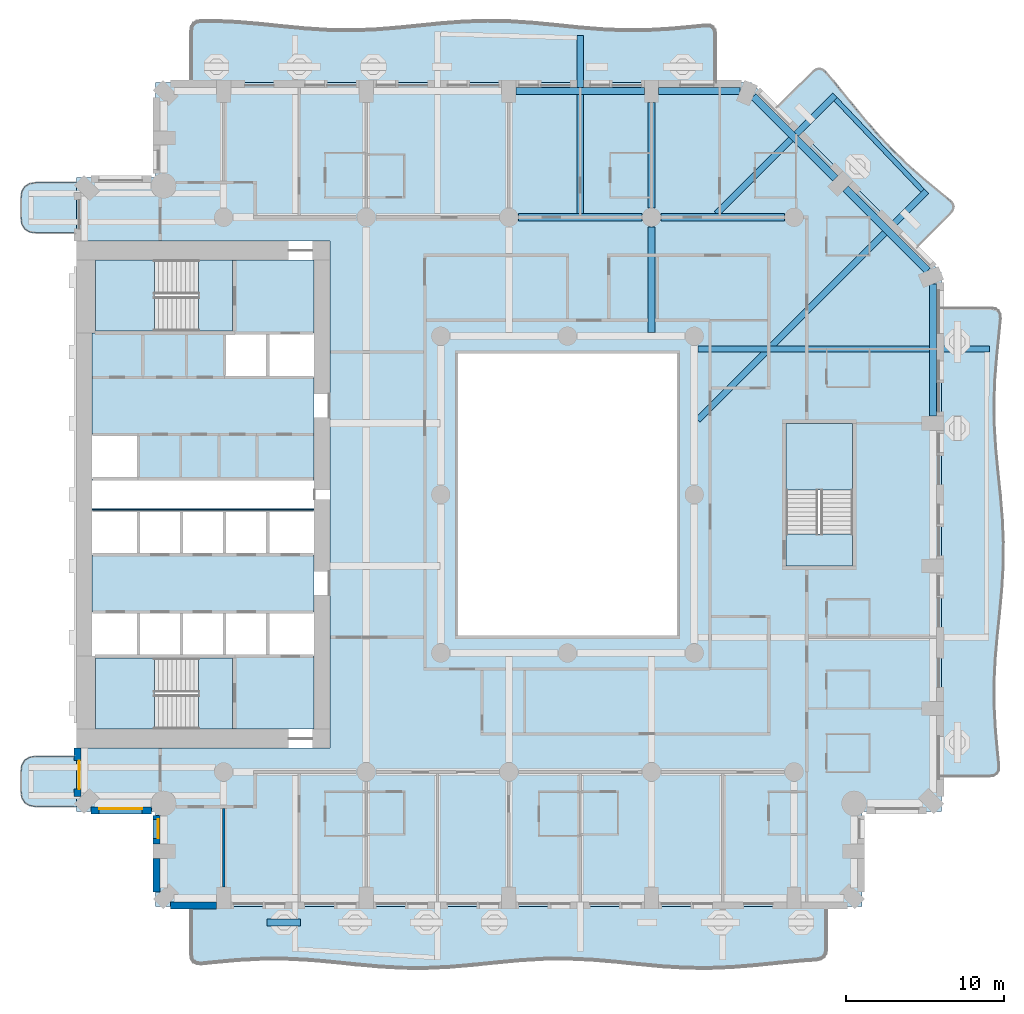
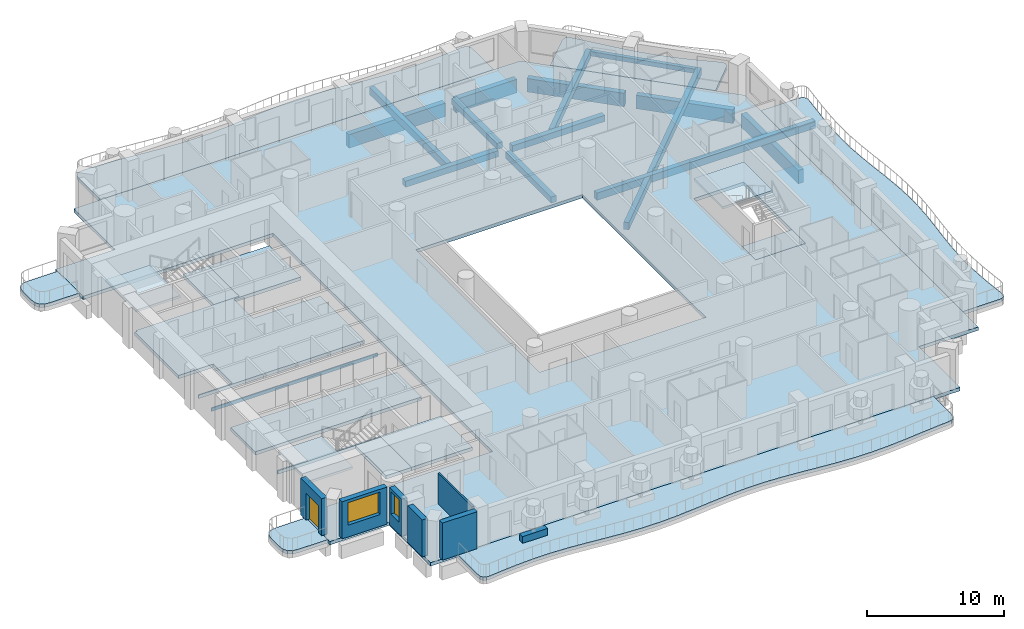
# One storey, part 2 of 20: 17 slabs, 14 beams, 7 walls, 2 windows, 1 door, 3 openings, 3 elements without a shape of their own.
"""IFC4 building model written with IfcOpenShell, lengths in metres."""

import ifcopenshell
import ifcopenshell.guid

model = None  # the IFC model being written
_history = None  # IfcOwnerHistory: only IFC2X3 demands one
_inside = {}  # id of a spatial element -> (the spatial element, [elements in it])
_under = {}  # id of a project, library or spatial element -> (it, [spatial elements below it])
_declared = {}  # id of a project -> (the project, [libraries it declares])
_typed = {}  # id of a type object -> (the type object, [elements of that type])
_made_of = {}  # id of a material, layer set ... -> (it, [elements and type objects made of it])


def new_model(schema):
    """Start an empty IFC model of exactly this schema.

    Asked for "IFC4X3", IfcOpenShell would pick the latest addendum, in which some entities
    have other attributes; the version numbers below select the first issue.
    IFC2X3 requires an IfcOwnerHistory on every rooted entity: one is made here for all.
    """
    global model, _history
    if schema == "IFC4X3":
        model = ifcopenshell.file(schema_version=(4, 3, 0, 0))
    else:
        model = ifcopenshell.file(schema=schema)
    _inside.clear()
    _under.clear()
    _declared.clear()
    _typed.clear()
    _made_of.clear()
    _history = None
    if model.schema == "IFC2X3":
        org = make("IfcOrganization", Name="unknown")
        user = make(
            "IfcPersonAndOrganization",
            ThePerson=make("IfcPerson", FamilyName="unknown"),
            TheOrganization=org,
        )
        app = make(
            "IfcApplication",
            ApplicationDeveloper=org,
            Version="unknown",
            ApplicationFullName="unknown",
            ApplicationIdentifier="unknown",
        )
        _history = make(
            "IfcOwnerHistory",
            OwningUser=user,
            OwningApplication=app,
            ChangeAction="ADDED",
            CreationDate=0,
        )
    return model


def make(cls, **values):
    """One entity of the class cls with the attributes given. An attribute that is None is left unset."""
    return model.create_entity(
        cls, **{name: value for name, value in values.items() if value is not None}
    )


def rooted(cls, **values):
    """An entity with a GlobalId (a new one), such as an element, a storey or a relation."""
    return make(cls, GlobalId=ifcopenshell.guid.new(), OwnerHistory=_history, **values)


def si_unit(unit_type, name, prefix=None):
    """IfcSIUnit, for example si_unit("LENGTHUNIT", "METRE", prefix="MILLI")."""
    return make("IfcSIUnit", UnitType=unit_type, Prefix=prefix, Name=name)


def assignment(units):
    """IfcUnitAssignment: the units of a project."""
    return None if units is None else make("IfcUnitAssignment", Units=units)


def point(xyz):
    """IfcCartesianPoint."""
    return None if xyz is None else make("IfcCartesianPoint", Coordinates=xyz)


def direction(xyz):
    """IfcDirection."""
    return None if xyz is None else make("IfcDirection", DirectionRatios=xyz)


def frame(location, z_axis=None, x_axis=None):
    """IfcAxis2Placement3D, a coordinate frame: its origin and axes. An axis left out is left unset."""
    return make(
        "IfcAxis2Placement3D",
        Location=point(location),
        Axis=direction(z_axis),
        RefDirection=direction(x_axis),
    )


def frame_2d(location, x_axis=None):
    """IfcAxis2Placement2D, a coordinate frame in the plane: its origin and x axis."""
    return make(
        "IfcAxis2Placement2D", Location=point(location), RefDirection=direction(x_axis)
    )


def origin():
    """The frame at (0, 0, 0) with its axes left unset."""
    return frame((0.0, 0.0, 0.0))


def origin_2d():
    """The frame at (0, 0) in the plane with its x axis left unset."""
    return frame_2d((0.0, 0.0))


def place(relative_to, where):
    """IfcLocalPlacement: puts the frame where relative to a parent placement (None: the world)."""
    return make(
        "IfcLocalPlacement", PlacementRelTo=relative_to, RelativePlacement=where
    )


def context(
    kind, dimensions, precision=None, world=None, true_north=None, identifier=None
):
    """IfcGeometricRepresentationContext, for example the 3D "Model" context."""
    return make(
        "IfcGeometricRepresentationContext",
        ContextIdentifier=identifier,
        ContextType=kind,
        CoordinateSpaceDimension=dimensions,
        Precision=precision,
        WorldCoordinateSystem=world,
        TrueNorth=true_north,
    )


def subcontext(parent, identifier, kind, view, scale=None):
    """IfcGeometricRepresentationSubContext, for example "Body" below "Model"."""
    return make(
        "IfcGeometricRepresentationSubContext",
        ContextIdentifier=identifier,
        ContextType=kind,
        ParentContext=parent,
        TargetScale=scale,
        TargetView=view,
    )


def project(units=None, contexts=None):
    """IfcProject with its units and contexts."""
    return rooted(
        "IfcProject",
        Name="project",
        RepresentationContexts=contexts,
        UnitsInContext=assignment(units),
    )


def spatial(cls, under=None, at=None, **own):
    """A site, building, storey or space (cls), placed at a placement, below another one or the project."""
    s = rooted(cls, ObjectPlacement=at, **own)
    if under is not None:
        _under.setdefault(under.id(), (under, []))[1].append(s)
    return s


def polyline(points):
    """IfcPolyline through the points."""
    return make("IfcPolyline", Points=[point(p) for p in points])


def profile(cls, at=None, kind="AREA", **sizes):
    """A parametric profile (cls). Its sizes go by their IFC names, for example OverallWidth=200.0."""
    return make(cls, ProfileType=kind, Position=at, **sizes)


def rectangle(**sizes):
    """IfcRectangleProfileDef."""
    return profile("IfcRectangleProfileDef", **sizes)


def outline(outer, holes=None, kind="AREA"):
    """IfcArbitraryClosedProfileDef: a profile drawn as a closed curve; with holes, ...WithVoids."""
    if holes is None:
        return make("IfcArbitraryClosedProfileDef", ProfileType=kind, OuterCurve=outer)
    return make(
        "IfcArbitraryProfileDefWithVoids",
        ProfileType=kind,
        OuterCurve=outer,
        InnerCurves=holes,
    )


def extrude(swept, where, along, depth):
    """IfcExtrudedAreaSolid: the profile swept, set in the frame where, extruded along a direction by depth."""
    return make(
        "IfcExtrudedAreaSolid",
        SweptArea=swept,
        Position=where,
        ExtrudedDirection=direction(along),
        Depth=depth,
    )


def shape(context_of_items, identifier, shape_type, items):
    """IfcShapeRepresentation: the items that make up one representation, for example the "Body"."""
    return make(
        "IfcShapeRepresentation",
        ContextOfItems=context_of_items,
        RepresentationIdentifier=identifier,
        RepresentationType=shape_type,
        Items=items,
    )


def material(Name=None, Category=None):
    """IfcMaterial."""
    return make("IfcMaterial", Name=Name, Category=Category)


def layer(
    of_material, thickness, ventilated=None, Name=None, Category=None, Priority=None
):
    """IfcMaterialLayer: one layer of a wall or slab, of a material (None: an air gap)."""
    return make(
        "IfcMaterialLayer",
        Material=of_material,
        LayerThickness=thickness,
        IsVentilated=ventilated,
        Name=Name,
        Category=Category,
        Priority=Priority,
    )


def layer_set(layers, Name=None):
    """IfcMaterialLayerSet."""
    return make("IfcMaterialLayerSet", MaterialLayers=layers, LayerSetName=Name)


def material_profile(
    of_material, cross_section, Name=None, Category=None, Priority=None
):
    """IfcMaterialProfile: a cross section and its material."""
    return make(
        "IfcMaterialProfile",
        Name=Name,
        Material=of_material,
        Profile=cross_section,
        Priority=Priority,
        Category=Category,
    )


def profile_set(profiles, Name=None, composite=None):
    """IfcMaterialProfileSet."""
    return make(
        "IfcMaterialProfileSet",
        Name=Name,
        MaterialProfiles=profiles,
        CompositeProfile=composite,
    )


def made_of(thing, what):
    """Note that an element or type object is made of a material, layer set ...; save() writes the relation."""
    if what is not None:
        _made_of.setdefault(what.id(), (what, []))[1].append(thing)
    return thing


def type_object(cls, material=None, **own):
    """A type object (cls), such as IfcWallType, which elements share."""
    return made_of(rooted(cls, **own), material)


def element(
    cls,
    number,
    at=None,
    inside=None,
    cuts=None,
    type_object=None,
    material=None,
    context=None,
    identifier="Body",
    shape_type=None,
    held_by="IfcProductDefinitionShape",
    body=None,
    shapes=None,
    **own,
):
    """One element of the class cls, such as IfcWall. Its Tag is "e" and its number.

    at: its placement. inside: the storey or other place that contains it. cuts: it is an
    opening in that element (IfcRelVoidsElement). A single representation is given by context,
    identifier, shape_type and body (its items); several are given by shapes. held_by: the class
    of the entity that holds the representations. save() writes the other relations.
    """
    e = rooted(cls, Tag="e%d" % number, ObjectPlacement=at, **own)
    if body is not None:
        shapes = [shape(context, identifier, shape_type, body)]
    if shapes is not None:
        e.Representation = make(held_by, Representations=shapes)
    if inside is not None:
        _inside.setdefault(inside.id(), (inside, []))[1].append(e)
    if cuts is not None:
        rooted(
            "IfcRelVoidsElement", RelatingBuildingElement=cuts, RelatedOpeningElement=e
        )
    if type_object is not None:
        _typed.setdefault(type_object.id(), (type_object, []))[1].append(e)
    return made_of(e, material)


def fill(opening, filler):
    """IfcRelFillsElement: the door or window that sits in an opening."""
    return rooted(
        "IfcRelFillsElement",
        RelatingOpeningElement=opening,
        RelatedBuildingElement=filler,
    )


def aggregate(whole, parts):
    """IfcRelAggregates: a whole, such as a stair, and the parts it consists of."""
    return rooted("IfcRelAggregates", RelatingObject=whole, RelatedObjects=parts)


def save(model, path):
    """Write the relations noted so far, then the file.

    IfcRelAggregates (storeys below a building ...), IfcRelContainedInSpatialStructure (elements
    in a storey), IfcRelDefinesByType, IfcRelAssociatesMaterial and IfcRelDeclares: one each for
    every whole, place, type object, material and project.
    """
    for whole, parts in _under.values():
        aggregate(whole, parts)
    for where, things in _inside.values():
        rooted(
            "IfcRelContainedInSpatialStructure",
            RelatedElements=things,
            RelatingStructure=where,
        )
    for kind, things in _typed.values():
        rooted("IfcRelDefinesByType", RelatedObjects=things, RelatingType=kind)
    for what, things in _made_of.values():
        rooted("IfcRelAssociatesMaterial", RelatedObjects=things, RelatingMaterial=what)
    for by, libraries in _declared.values():
        rooted("IfcRelDeclares", RelatingContext=by, RelatedDefinitions=libraries)
    model.write(path)


model = new_model("IFC4")

# Units and contexts
model_context = context("Model", 3, precision=1e-05, world=origin(), true_north=direction((0.0, 1.0)))
body_context = subcontext(model_context, "Body", "Model", "MODEL_VIEW")
ifc_project = project(units=[si_unit("LENGTHUNIT", "METRE"), si_unit("AREAUNIT", "SQUARE_METRE"), si_unit("VOLUMEUNIT", "CUBIC_METRE"), si_unit("PLANEANGLEUNIT", "RADIAN"), si_unit("MASSUNIT", "GRAM", prefix="KILO")], contexts=[model_context])

# Site, building, storey
site_placement = place(None, origin())
site = spatial("IfcSite", under=ifc_project, at=site_placement, CompositionType="ELEMENT")
building_placement = place(site_placement, origin())
building = spatial("IfcBuilding", under=site, at=building_placement, Name="Cypress Arch Tower", CompositionType="ELEMENT")
storey_placement = place(building_placement, frame((0.0, 0.0, 80.699951171875)))
storey = spatial("IfcBuildingStorey", under=building, at=storey_placement, Name="L14", CompositionType="ELEMENT", Elevation=80.699951171875)

# Beams
ifc_material_1 = material(Name="Concrete C50/60", Category="concrete")
ifc_material_profile_1 = material_profile(ifc_material_1, rectangle(XDim=0.300048828125, YDim=0.39990234375, at=origin_2d()), Name="RC 300x400")
ifc_profile_set_1 = profile_set([ifc_material_profile_1], Name="Concrete C50/60")
beam_type_1 = type_object("IfcBeamType", Name="Balcony edge beam RC 300x400 Concrete C50/60", PredefinedType="BEAM", material=ifc_profile_set_1)
beam_1_placement = place(storey_placement, frame((23.41015625, 19.1806640625, -0.5), z_axis=(-0.689573257402, 0.724215936497, 0.0), x_axis=(-0.724215936497, -0.689573257402, 0.0)))
element("IfcBeam", 1, at=beam_1_placement, inside=storey, type_object=beam_type_1, Name="Balcony edge beam L14 A07", PredefinedType="BEAM", context=body_context, shape_type="SweptSolid", body=[
    extrude(rectangle(XDim=0.300048828125, YDim=0.39990234375, at=origin_2d()), origin(), (0.0, 0.0, 1.0), 7.963623046875),
])
ifc_material_2 = material(Name="Concrete C50/60", Category="concrete")
ifc_material_profile_2 = material_profile(ifc_material_2, rectangle(XDim=0.39990234375, YDim=0.64990234375, at=origin_2d()), Name="RC 400x650")
ifc_profile_set_2 = profile_set([ifc_material_profile_2], Name="Concrete C50/60")
beam_type_2 = type_object("IfcBeamType", Name="Cantilever beam RC 400x650 Concrete C50/60", PredefinedType="BEAM", material=ifc_profile_set_2)
beam_2_placement = place(storey_placement, frame((9.22509765625, 9.18798828125, -0.625), z_axis=(1.0, 0.0, 0.0), x_axis=(0.0, 1.0, 0.0)))
element("IfcBeam", 2, at=beam_2_placement, inside=storey, type_object=beam_type_2, Name="Cantilever beam L14 A06 2", PredefinedType="BEAM", context=body_context, shape_type="SweptSolid", body=[
    extrude(rectangle(XDim=0.39990234375, YDim=0.64990234375, at=origin_2d()), origin(), (0.0, 0.0, 1.0), 18.392578125),
])
beam_3_placement = place(storey_placement, frame((9.22509765625, 4.712890625, -0.625), z_axis=(0.707100800439, 0.707112761884, 0.0), x_axis=(-0.707112761884, 0.707100800439, 0.0)))
element("IfcBeam", 3, at=beam_3_placement, inside=storey, type_object=beam_type_2, Name="Cantilever beam L14 A07 1", PredefinedType="BEAM", context=body_context, shape_type="SweptSolid", body=[
    extrude(rectangle(XDim=0.39990234375, YDim=0.64990234375, at=origin_2d()), origin(), (0.0, 0.0, 1.0), 20.41064453125),
])
beam_4_placement = place(storey_placement, frame((10.412841796875, 17.72509765625, -0.625), z_axis=(0.707118335313, 0.707095226871, 0.0), x_axis=(-0.707095226871, 0.707118335313, 0.0)))
element("IfcBeam", 4, at=beam_4_placement, inside=storey, type_object=beam_type_2, Name="Cantilever beam L14 A07 2", PredefinedType="BEAM", context=body_context, shape_type="SweptSolid", body=[
    extrude(rectangle(XDim=0.39990234375, YDim=0.64990234375, at=origin_2d()), origin(), (0.0, 0.0, 1.0), 10.56494140625),
])
beam_5_placement = place(storey_placement, frame((1.800048828125, 17.72509765625, -0.625), z_axis=(0.0, 1.0, 0.0), x_axis=(-1.0, 0.0, 0.0)))
element("IfcBeam", 5, at=beam_5_placement, inside=storey, type_object=beam_type_2, Name="Cantilever beam L14 A08 1", PredefinedType="BEAM", context=body_context, shape_type="SweptSolid", body=[
    extrude(rectangle(XDim=0.39990234375, YDim=0.64990234375, at=origin_2d()), origin(), (0.0, 0.0, 1.0), 11.25390625),
])
ifc_material_3 = material(Name="Concrete C50/60", Category="concrete")
ifc_material_profile_3 = material_profile(ifc_material_3, rectangle(XDim=0.449951171875, YDim=0.550048828125, at=origin_2d()), Name="RC 450x550")
ifc_profile_set_3 = profile_set([ifc_material_profile_3], Name="Concrete C50/60")
beam_type_3 = type_object("IfcBeamType", Name="Floor beam RC 450x550 Concrete C50/60", PredefinedType="BEAM", material=ifc_profile_set_3)
for number, where, z_axis, x_axis, name in (
    (6, (-2.10009765625, 17.5, -0.574951171875), (1.0, 0.0, 0.0), (0.0, 1.0, 0.0), "Floor beam L14 FB017"),
    (7, (6.89990234375, 17.5, -0.574951171875), (1.0, 0.0, 0.0), (0.0, 1.0, 0.0), "Floor beam L14 FB018"),
):
    element("IfcBeam", number, at=place(storey_placement, frame(where, z_axis=z_axis, x_axis=x_axis)), inside=storey, type_object=beam_type_3, Name=name, PredefinedType="BEAM", context=body_context, shape_type="SweptSolid", body=[
        extrude(rectangle(XDim=0.449951171875, YDim=0.550048828125, at=origin_2d()), origin(), (0.0, 0.0, 1.0), 7.800048828125),
    ])
beam_6_placement = place(storey_placement, frame((6.300048828125, 10.22509765625, -0.574951171875), z_axis=(0.0, 1.0, 0.0), x_axis=(-1.0, 0.0, 0.0)))
element("IfcBeam", 8, at=beam_6_placement, inside=storey, type_object=beam_type_3, Name="Floor beam L14 FB032", PredefinedType="BEAM", context=body_context, shape_type="SweptSolid", body=[
    extrude(rectangle(XDim=0.449951171875, YDim=0.550048828125, at=origin_2d()), origin(), (0.0, 0.0, 1.0), 6.6748046875),
])
beam_7_placement = place(storey_placement, frame((6.300048828125, 18.10009765625, -0.574951171875), z_axis=(0.0, 1.0, 0.0), x_axis=(-1.0, 0.0, 0.0)))
element("IfcBeam", 9, at=beam_7_placement, inside=storey, type_object=beam_type_3, Name="Floor beam L14 FB033", PredefinedType="BEAM", context=body_context, shape_type="SweptSolid", body=[
    extrude(rectangle(XDim=0.449951171875, YDim=0.550048828125, at=origin_2d()), origin(), (0.0, 0.0, 1.0), 6.64990234375),
])
ifc_material_4 = material(Name="Concrete C50/60", Category="concrete")
ifc_material_profile_4 = material_profile(ifc_material_4, rectangle(XDim=0.449951171875, YDim=1.199951171875, at=origin_2d()), Name="RC 450x1200")
ifc_profile_set_4 = profile_set([ifc_material_profile_4], Name="Concrete C50/60")
beam_type_4 = type_object("IfcBeamType", Name="Spandrel beam RC 450x1200 Concrete C50/60", PredefinedType="SPANDREL", material=ifc_profile_set_4)
beam_8_placement = place(storey_placement, frame((24.074951171875, 4.949951171875, -1.550048828125), z_axis=(0.0, 1.0, 0.0), x_axis=(-1.0, 0.0, 0.0)))
element("IfcBeam", 10, at=beam_8_placement, inside=storey, type_object=beam_type_4, Name="Spandrel beam L14 BA06-3", PredefinedType="SPANDREL", context=body_context, shape_type="SweptSolid", body=[
    extrude(rectangle(XDim=0.449951171875, YDim=1.199951171875, at=origin_2d()), origin(), (0.0, 0.0, 1.0), 8.345458984375),
])
for number, where, z_axis, x_axis, name in (
    (11, (23.73046875, 14.126953125, -1.550048828125), (-0.707106781187, 0.707106781187, 0.0), (-0.707106781187, -0.707106781187, 0.0), "Spandrel beam L14 BA07-0"),
    (12, (17.91064453125, 19.947021484375, -1.550048828125), (-0.707106781187, 0.707106781187, 0.0), (-0.707106781187, -0.707106781187, 0.0), "Spandrel beam L14 BA07-1"),
):
    element("IfcBeam", number, at=place(storey_placement, frame(where, z_axis=z_axis, x_axis=x_axis)), inside=storey, type_object=beam_type_4, Name=name, PredefinedType="SPANDREL", context=body_context, shape_type="SweptSolid", body=[
        extrude(rectangle(XDim=0.449951171875, YDim=1.199951171875, at=origin_2d()), origin(), (0.0, 0.0, 1.0), 7.330810546875),
    ])
beam_9_placement = place(storey_placement, frame((11.8955078125, 25.47509765625, -1.550048828125), z_axis=(-1.0, 0.0, 0.0), x_axis=(0.0, -1.0, 0.0)))
element("IfcBeam", 13, at=beam_9_placement, inside=storey, type_object=beam_type_4, Name="Spandrel beam L14 BA08-0", PredefinedType="SPANDREL", context=body_context, shape_type="SweptSolid", body=[
    extrude(rectangle(XDim=0.449951171875, YDim=1.199951171875, at=origin_2d()), origin(), (0.0, 0.0, 1.0), 5.1455078125),
])
beam_10_placement = place(storey_placement, frame((5.85009765625, 25.47509765625, -1.550048828125), z_axis=(-1.0, 0.0, 0.0), x_axis=(0.0, -1.0, 0.0)))
element("IfcBeam", 14, at=beam_10_placement, inside=storey, type_object=beam_type_4, Name="Spandrel beam L14 BA08-1", PredefinedType="SPANDREL", context=body_context, shape_type="SweptSolid", body=[
    extrude(rectangle(XDim=0.449951171875, YDim=1.199951171875, at=origin_2d()), origin(), (0.0, 0.0, 1.0), 8.10009765625),
])

# Slabs
ifc_material_5 = material(Name="Concrete C40/50", Category="concrete")
ifc_layer_1 = layer(ifc_material_5, 0.300048828125)
ifc_layer_set_1 = layer_set([ifc_layer_1], Name="Balcony slab BS300")
slab_type_1 = type_object("IfcSlabType", Name="Balcony slab BS300", PredefinedType="USERDEFINED", material=ifc_layer_set_1)
slab_1_placement = place(storey_placement, frame((0.0, 0.0, -0.300048828125)))
element("IfcSlab", 15, at=slab_1_placement, inside=storey, type_object=slab_type_1, Name="Balcony slab L14-A00W0", ObjectType="BALCONY SLAB", PredefinedType="USERDEFINED", context=body_context, shape_type="SweptSolid", body=[
    extrude(outline(polyline([(-30.0, 19.699951171875), (-32.5, 19.699951171875), (-32.9375, 19.637451171875), (-33.25, 19.449951171875), (-33.4375, 19.137451171875), (-33.5, 18.699951171875), (-33.5, 17.5), (-33.4375, 17.0625), (-33.25, 16.75), (-32.9375, 16.5625), (-32.5, 16.5), (-30.0, 16.5), (-30.0, 19.699951171875)])), origin(), (0.0, 0.0, 1.0), 0.300048828125),
])
slab_2_placement = place(storey_placement, frame((0.0, 0.0, -0.300048828125)))
element("IfcSlab", 16, at=slab_2_placement, inside=storey, type_object=slab_type_1, Name="Balcony slab L14-A00W1", ObjectType="BALCONY SLAB", PredefinedType="USERDEFINED", context=body_context, shape_type="SweptSolid", body=[
    extrude(outline(polyline([(-30.0, -16.5), (-32.5, -16.5), (-32.9375, -16.5625), (-33.25, -16.75), (-33.4375, -17.0625), (-33.5, -17.5), (-33.5, -18.699951171875), (-33.4375, -19.137451171875), (-33.25, -19.449951171875), (-32.9375, -19.637451171875), (-32.5, -19.699951171875), (-30.0, -19.699951171875), (-30.0, -16.5)])), origin(), (0.0, 0.0, 1.0), 0.300048828125),
])
slab_3_placement = place(storey_placement, frame((0.0, 0.0, -0.300048828125)))
element("IfcSlab", 17, at=slab_3_placement, inside=storey, type_object=slab_type_1, Name="Balcony slab L14-A03", ObjectType="BALCONY SLAB", PredefinedType="USERDEFINED", context=body_context, shape_type="SweptSolid", body=[
    extrude(outline(polyline([(-22.75, -26.0), (-22.75, -29.005859375), (-22.708251953125, -29.29541015625), (-22.5830078125, -29.492431640625), (-22.3740234375, -29.5966796875), (-22.081787109375, -29.6083984375), (-21.264892578125, -29.52392578125), (-19.779541015625, -29.39013671875), (-18.29443359375, -29.3115234375), (-16.809326171875, -29.30859375), (-15.323974609375, -29.382568359375), (-13.8388671875, -29.513427734375), (-12.353759765625, -29.6669921875), (-10.868408203125, -29.80322265625), (-9.38330078125, -29.8857421875), (-7.898193359375, -29.893310546875), (-6.412841796875, -29.82373046875), (-4.927734375, -29.695556640625), (-3.442626953125, -29.5419921875), (-1.95751953125, -29.40380859375), (-0.47216796875, -29.317138671875), (1.012939453125, -29.3046875), (2.498046875, -29.3701171875), (3.9833984375, -29.495849609375), (5.468505859375, -29.64892578125), (6.95361328125, -29.7890625), (8.43896484375, -29.879638671875), (9.924072265625, -29.896728515625), (11.4091796875, -29.835693359375), (12.89453125, -29.712890625), (14.379638671875, -29.560302734375), (15.86474609375, -29.418212890625), (16.681640625, -29.3662109375), (16.97412109375, -29.305908203125), (17.182861328125, -29.1669921875), (17.308349609375, -28.94970703125), (17.35009765625, -28.654052734375), (17.35009765625, -26.0), (-22.75, -26.0)])), origin(), (0.0, 0.0, 1.0), 0.300048828125),
])
slab_4_placement = place(storey_placement, frame((0.0, 0.0, -0.300048828125)))
element("IfcSlab", 18, at=slab_4_placement, inside=storey, type_object=slab_type_1, Name="Balcony slab L14-A06", ObjectType="BALCONY SLAB", PredefinedType="USERDEFINED", context=body_context, shape_type="SweptSolid", body=[
    extrude(outline(polyline([(24.60009765625, -17.75), (27.6103515625, -17.75), (27.89794921875, -17.70849609375), (28.09375, -17.583984375), (28.197265625, -17.376708984375), (28.208984375, -17.086181640625), (28.125, -16.27490234375), (27.99169921875, -14.800048828125), (27.912353515625, -13.324951171875), (27.90771484375, -11.85009765625), (27.978759765625, -10.375), (28.107177734375, -8.89990234375), (28.259765625, -7.425048828125), (28.396728515625, -5.949951171875), (28.48291015625, -4.47509765625), (28.495361328125, -3.0), (28.431396484375, -1.52490234375), (28.3076171875, -0.050048828125), (28.15576171875, 1.425048828125), (28.015380859375, 2.89990234375), (27.9228515625, 4.375), (27.90234375, 5.85009765625), (27.958740234375, 7.324951171875), (28.077880859375, 8.800048828125), (28.228759765625, 10.27490234375), (28.3076171875, 11.086181640625), (28.294189453125, 11.376708984375), (28.189208984375, 11.583984375), (27.992919921875, 11.70849609375), (27.705078125, 11.75), (24.60009765625, 11.75), (24.60009765625, -17.75)])), origin(), (0.0, 0.0, 1.0), 0.300048828125),
])
slab_5_placement = place(storey_placement, frame((0.0, 0.0, -0.300048828125)))
element("IfcSlab", 19, at=slab_5_placement, inside=storey, type_object=slab_type_1, Name="Balcony slab L14-A07", ObjectType="BALCONY SLAB", PredefinedType="USERDEFINED", context=body_context, shape_type="SweptSolid", body=[
    extrude(outline(polyline([(23.009033203125, 15.591064453125), (25.166259765625, 17.748291015625), (25.329833984375, 17.966796875), (25.376953125, 18.179443359375), (25.30810546875, 18.385986328125), (25.122802734375, 18.586669921875), (24.528076171875, 19.069580078125), (23.45751953125, 19.95849609375), (22.41845703125, 20.879150390625), (21.424560546875, 21.8447265625), (20.47900390625, 22.858642578125), (19.573974609375, 23.913330078125), (18.6923828125, 24.9912109375), (17.811767578125, 26.070068359375), (17.315185546875, 26.6513671875), (17.10986328125, 26.83203125), (16.900146484375, 26.897705078125), (16.685791015625, 26.8486328125), (16.466796875, 26.684814453125), (14.19091796875, 24.408935546875), (23.009033203125, 15.591064453125)])), origin(), (0.0, 0.0, 1.0), 0.300048828125),
])
slab_6_placement = place(storey_placement, frame((0.0, 0.0, -0.300048828125)))
element("IfcSlab", 20, at=slab_6_placement, inside=storey, type_object=slab_type_1, Name="Balcony slab L14-A08", ObjectType="BALCONY SLAB", PredefinedType="USERDEFINED", context=body_context, shape_type="SweptSolid", body=[
    extrude(outline(polyline([(10.35009765625, 26.0), (10.35009765625, 29.026611328125), (10.3095703125, 29.30712890625), (10.18798828125, 29.498046875), (9.98583984375, 29.59912109375), (9.702392578125, 29.610595703125), (8.910888671875, 29.528564453125), (7.4716796875, 29.39697265625), (6.03271484375, 29.315673828125), (4.593505859375, 29.3046875), (3.154296875, 29.366455078125), (1.71533203125, 29.486083984375), (0.276123046875, 29.6337890625), (-1.1630859375, 29.773193359375), (-2.602294921875, 29.86962890625), (-4.041259765625, 29.899658203125), (-5.48046875, 29.85546875), (-6.919677734375, 29.748291015625), (-8.358642578125, 29.604248046875), (-9.7978515625, 29.45947265625), (-11.237060546875, 29.34912109375), (-12.676025390625, 29.301025390625), (-14.115234375, 29.32666015625), (-15.554443359375, 29.419921875), (-16.993408203125, 29.5576171875), (-18.4326171875, 29.705810546875), (-19.871826171875, 29.827880859375), (-21.310791015625, 29.893798828125), (-22.102294921875, 29.889892578125), (-22.3857421875, 29.84814453125), (-22.588134765625, 29.725830078125), (-22.70947265625, 29.522705078125), (-22.75, 29.2392578125), (-22.75, 26.0), (10.35009765625, 26.0)])), origin(), (0.0, 0.0, 1.0), 0.300048828125),
])
ifc_material_6 = material(Name="Concrete C40/50", Category="concrete")
ifc_layer_2 = layer(ifc_material_6, 0.300048828125)
ifc_layer_set_2 = layer_set([ifc_layer_2], Name="Core floor CF300")
slab_type_2 = type_object("IfcSlabType", Name="Core floor CF300", PredefinedType="FLOOR", material=ifc_layer_set_2)
slab_7_placement = place(storey_placement, frame((0.0, 0.0, -0.300048828125)))
element("IfcSlab", 21, at=slab_7_placement, inside=storey, type_object=slab_type_2, Name="Core floor", PredefinedType="FLOOR", context=body_context, shape_type="SweptSolid", body=[
    extrude(outline(polyline([(-20.125, -14.800048828125), (-15.0, -14.800048828125), (-15.0, -10.199951171875), (-17.919921875, -10.199951171875), (-20.639892578125, -10.199951171875), (-23.360107421875, -10.199951171875), (-26.080078125, -10.199951171875), (-28.800048828125, -10.199951171875), (-28.800048828125, -10.324951171875), (-22.27490234375, -10.324951171875), (-20.125, -10.324951171875), (-20.125, -14.800048828125)])), origin(), (0.0, 0.0, 1.0), 0.300048828125),
])
slab_8_placement = place(storey_placement, frame((0.0, 0.0, -0.300048828125)))
element("IfcSlab", 22, at=slab_8_placement, inside=storey, type_object=slab_type_2, Name="Core floor", PredefinedType="FLOOR", context=body_context, shape_type="SweptSolid", body=[
    extrude(outline(polyline([(-29.0, -3.800048828125), (-29.0, -7.39990234375), (-26.080078125, -7.39990234375), (-23.360107421875, -7.39990234375), (-20.639892578125, -7.39990234375), (-17.919921875, -7.39990234375), (-15.0, -7.39990234375), (-15.0, -3.800048828125), (-17.919921875, -3.800048828125), (-20.639892578125, -3.800048828125), (-23.360107421875, -3.800048828125), (-26.080078125, -3.800048828125), (-29.0, -3.800048828125)])), origin(), (0.0, 0.0, 1.0), 0.300048828125),
])
slab_9_placement = place(storey_placement, frame((0.0, 0.0, -0.300048828125)))
element("IfcSlab", 23, at=slab_9_placement, inside=storey, type_object=slab_type_2, Name="Core floor", PredefinedType="FLOOR", context=body_context, shape_type="SweptSolid", body=[
    extrude(outline(polyline([(-29.0, 3.800048828125), (-29.0, 10.199951171875), (-28.800048828125, 10.199951171875), (-28.800048828125, 10.324951171875), (-28.60009765625, 10.324951171875), (-22.27490234375, 10.324951171875), (-20.125, 10.324951171875), (-20.125, 14.800048828125), (-15.39990234375, 14.800048828125), (-15.0, 14.800048828125), (-15.0, 10.199951171875), (-15.39990234375, 10.199951171875), (-17.919921875, 10.199951171875), (-20.639892578125, 10.199951171875), (-20.639892578125, 7.39990234375), (-17.919921875, 7.39990234375), (-15.39990234375, 7.39990234375), (-15.0, 7.39990234375), (-15.0, 0.89990234375), (-28.60009765625, 0.89990234375), (-29.0, 0.89990234375), (-29.0, 1.0), (-28.60009765625, 1.0), (-26.080078125, 1.0), (-26.080078125, 3.800048828125), (-28.60009765625, 3.800048828125), (-29.0, 3.800048828125)])), origin(), (0.0, 0.0, 1.0), 0.300048828125),
])
slab_10_placement = place(storey_placement, frame((0.0, 0.0, -0.300048828125)))
element("IfcSlab", 24, at=slab_10_placement, inside=storey, type_object=slab_type_2, Name="Core floor", PredefinedType="FLOOR", context=body_context, shape_type="SweptSolid", body=[
    extrude(outline(polyline([(-22.27490234375, -10.324951171875), (-22.27490234375, -14.800048828125), (-20.125, -14.800048828125), (-20.125, -10.324951171875), (-22.27490234375, -10.324951171875)])), origin(), (0.0, 0.0, 1.0), 0.300048828125),
])
slab_11_placement = place(storey_placement, frame((0.0, 0.0, -0.300048828125)))
element("IfcSlab", 25, at=slab_11_placement, inside=storey, type_object=slab_type_2, Name="Core floor", PredefinedType="FLOOR", context=body_context, shape_type="SweptSolid", body=[
    extrude(outline(polyline([(-20.125, 14.800048828125), (-22.27490234375, 14.800048828125), (-22.27490234375, 10.324951171875), (-20.125, 10.324951171875), (-20.125, 14.800048828125)])), origin(), (0.0, 0.0, 1.0), 0.300048828125),
])
slab_12_placement = place(storey_placement, frame((0.0, 0.0, -0.300048828125)))
element("IfcSlab", 26, at=slab_12_placement, inside=storey, type_object=slab_type_2, Name="Stair floor landing", PredefinedType="FLOOR", context=body_context, shape_type="SweptSolid", body=[
    extrude(outline(polyline([(19.0, -4.5), (19.0, -2.5), (14.800048828125, -2.5), (14.800048828125, -4.5), (19.0, -4.5)])), origin(), (0.0, 0.0, 1.0), 0.300048828125),
])
slab_13_placement = place(storey_placement, frame((0.0, 0.0, -0.300048828125)))
element("IfcSlab", 27, at=slab_13_placement, inside=storey, type_object=slab_type_2, Name="Core floor", PredefinedType="FLOOR", context=body_context, shape_type="SweptSolid", body=[
    extrude(outline(polyline([(-20.639892578125, -1.0), (-23.360107421875, -1.0), (-26.080078125, -1.0), (-28.60009765625, -1.0), (-29.0, -1.0), (-29.0, -0.89990234375), (-28.60009765625, -0.89990234375), (-15.39990234375, -0.89990234375), (-15.0, -0.89990234375), (-15.0, -1.0), (-15.39990234375, -1.0), (-17.919921875, -1.0), (-20.639892578125, -1.0)])), origin(), (0.0, 0.0, 1.0), 0.300048828125),
])
ifc_material_7 = material(Name="Concrete C40/50", Category="concrete")
ifc_layer_3 = layer(ifc_material_7, 0.300048828125)
ifc_layer_set_3 = layer_set([ifc_layer_3], Name="PT flat slab 300 Concrete C40/50")
slab_type_3 = type_object("IfcSlabType", Name="PT flat slab 300 Concrete C40/50", PredefinedType="FLOOR", material=ifc_layer_set_3)
slab_14_placement = place(storey_placement, frame((0.0, 0.0, -0.300048828125)))
element("IfcSlab", 28, at=slab_14_placement, inside=storey, type_object=slab_type_3, Name="Floor slab L14", PredefinedType="FLOOR", context=body_context, shape_type="SweptSolid", body=[
    extrude(outline(polyline([(-30.0, 20.0), (-25.0, 20.0), (-25.0, 26.0), (12.60009765625, 26.0), (24.60009765625, 14.0), (24.60009765625, -20.0), (19.60009765625, -20.0), (19.60009765625, -26.0), (-25.0, -26.0), (-25.0, -20.0), (-30.0, -20.0), (-30.0, -16.0), (-14.0, -16.0), (-14.0, 16.0), (-30.0, 16.0), (-30.0, 20.0)]), holes=[polyline([(-6.0, -9.0), (8.0, -9.0), (8.0, 9.0), (-6.0, 9.0), (-6.0, -9.0)]), polyline([(14.800048828125, -4.5), (19.0, -4.5), (19.0, 4.5), (14.800048828125, 4.5), (14.800048828125, -4.5)])]), origin(), (0.0, 0.0, 1.0), 0.300048828125),
])

# Stair, slab
ifc_material_8 = material(Name="Concrete C40/50", Category="concrete")
stair_type_1 = type_object("IfcStairType", Name="Exit stair ES1636-215", PredefinedType="HALF_TURN_STAIR", material=ifc_material_8)
stair_1_placement = place(storey_placement, origin())
stair_1 = element("IfcStair", 29, at=stair_1_placement, inside=storey, type_object=stair_type_1, Name="L14 Exit stair A", PredefinedType="HALF_TURN_STAIR")
ifc_material_9 = material(Name="Concrete C40/50", Category="concrete")
ifc_layer_4 = layer(ifc_material_9, 0.199951171875)
ifc_layer_set_4 = layer_set([ifc_layer_4], Name="Stair landing SL200")
slab_type_4 = type_object("IfcSlabType", Name="Stair landing SL200", PredefinedType="LANDING", material=ifc_layer_set_4)
slab_15_placement = place(storey_placement, frame((0.0, 0.0, 1.60009765625)))
slab_15 = element("IfcSlab", 30, at=slab_15_placement, type_object=slab_type_4, Name="A landing 1", PredefinedType="LANDING", context=body_context, shape_type="SweptSolid", body=[
    extrude(outline(polyline([(-25.074951171875, -10.324951171875), (-28.800048828125, -10.324951171875), (-28.800048828125, -14.800048828125), (-25.074951171875, -14.800048828125), (-25.074951171875, -10.324951171875)])), origin(), (0.0, 0.0, 1.0), 0.199951171875),
])
aggregate(stair_1, [slab_15])

stair_2_placement = place(storey_placement, origin())
stair_2 = element("IfcStair", 31, at=stair_2_placement, inside=storey, type_object=stair_type_1, Name="L14 Exit stair B", PredefinedType="HALF_TURN_STAIR")
slab_16_placement = place(storey_placement, frame((0.0, 0.0, 1.60009765625)))
slab_16 = element("IfcSlab", 32, at=slab_16_placement, type_object=slab_type_4, Name="B landing 1", PredefinedType="LANDING", context=body_context, shape_type="SweptSolid", body=[
    extrude(outline(polyline([(-25.074951171875, 14.800048828125), (-28.800048828125, 14.800048828125), (-28.800048828125, 10.324951171875), (-25.074951171875, 10.324951171875), (-25.074951171875, 14.800048828125)])), origin(), (0.0, 0.0, 1.0), 0.199951171875),
])
aggregate(stair_2, [slab_16])

ifc_material_10 = material(Name="Concrete C40/50", Category="concrete")
stair_type_2 = type_object("IfcStairType", Name="Exit stair ES1636-200", PredefinedType="HALF_TURN_STAIR", material=ifc_material_10)
stair_3_placement = place(storey_placement, origin())
stair_3 = element("IfcStair", 33, at=stair_3_placement, inside=storey, type_object=stair_type_2, Name="L14 Exit stair C", PredefinedType="HALF_TURN_STAIR")
slab_17_placement = place(storey_placement, frame((0.0, 0.0, 1.60009765625)))
slab_17 = element("IfcSlab", 34, at=slab_17_placement, type_object=slab_type_4, Name="C landing 1", PredefinedType="LANDING", context=body_context, shape_type="SweptSolid", body=[
    extrude(outline(polyline([(19.0, 0.300048828125), (19.0, 4.5), (14.800048828125, 4.5), (14.800048828125, 0.300048828125), (19.0, 0.300048828125)])), origin(), (0.0, 0.0, 1.0), 0.199951171875),
])
aggregate(stair_3, [slab_17])

# Wall
ifc_material_11 = material(Name="Concrete C40/50, waterproofed", Category="concrete")
ifc_layer_5 = layer(ifc_material_11, 0.449951171875)
ifc_layer_set_5 = layer_set([ifc_layer_5], Name="Balcony planter wall PW450")
wall_type_1 = type_object("IfcWallType", Name="Balcony planter wall PW450", PredefinedType="SOLIDWALL", material=ifc_layer_set_5)
wall_1_placement = place(storey_placement, frame((-17.949951171875, -27.0, 0.0), z_axis=(0.0, 0.0, 1.0), x_axis=(1.0, 0.0, 0.0)))
element("IfcWall", 35, at=wall_1_placement, inside=storey, type_object=wall_type_1, Name="Balcony planter wall L14-A03.1", PredefinedType="SOLIDWALL", context=body_context, shape_type="SweptSolid", body=[
    extrude(rectangle(XDim=2.099853515625, YDim=0.449951171875, at=frame_2d((1.0498046875, 0.0))), origin(), (0.0, 0.0, 1.0), 0.60009765625),
])

# Wall, opening, door
ifc_material_12 = material(Name="Brick (red buff blend)", Category="masonry")
ifc_layer_6 = layer(ifc_material_12, 0.449951171875)
ifc_layer_set_6 = layer_set([ifc_layer_6], Name="Brick pier and spandrel wall BW450")
wall_type_2 = type_object("IfcWallType", Name="Brick pier and spandrel wall BW450", PredefinedType="SOLIDWALL", material=ifc_layer_set_6)
wall_2_placement = place(storey_placement, frame((-29.925048828125, -16.0, 0.0), z_axis=(0.0, 0.0, 1.0), x_axis=(0.0, -1.0, 0.0)))
wall_2 = element("IfcWall", 36, at=wall_2_placement, inside=storey, type_object=wall_type_2, Name="Brick wall L14 A00.0.1", PredefinedType="SOLIDWALL", context=body_context, shape_type="SweptSolid", body=[
    extrude(rectangle(XDim=3.063720703125, YDim=0.449951171875, at=frame_2d((1.53173828125, 0.0))), origin(), (0.0, 0.0, 1.0), 3.300048828125),
])
opening_1_placement = place(wall_2_placement, frame((0.78173828125, 0.0, 0.0)))
opening_1 = element("IfcOpeningElement", 37, at=opening_1_placement, cuts=wall_2, Name="Opening D-L14-A00.0.1.9", PredefinedType="OPENING", context=body_context, shape_type="SweptSolid", body=[
    extrude(rectangle(XDim=1.800048828125, YDim=2.39990234375, at=frame_2d((0.89990234375, 1.199951171875))), frame((0.0, 0.23486328125, 0.0), z_axis=(0.0, -1.0, 0.0), x_axis=(1.0, 0.0, 0.0)), (0.0, 0.0, 1.0), 0.469970703125),
])
ifc_material_13 = material(Name="Anodised aluminium, bronze finish, laminated low-emissivity double glazing, large-missile impact rated", Category="aluminium")
door_type = type_object("IfcDoorType", Name="Balcony sliding door 1800x2400", OperationType="SLIDING_TO_LEFT", PredefinedType="DOOR", material=ifc_material_13)
door_placement = place(opening_1_placement, origin())
door = element("IfcDoor", 38, at=door_placement, inside=storey, type_object=door_type, Name="Balcony door L14 A00.0.1.9", OperationType="SLIDING_TO_LEFT", OverallHeight=2.39990234375, OverallWidth=1.800048828125, PredefinedType="DOOR", context=body_context, shape_type="SweptSolid", body=[
    extrude(rectangle(XDim=1.800048828125, YDim=2.39990234375, at=frame_2d((0.89990234375, 1.199951171875))), frame((0.0, 0.1298828125, 0.0), z_axis=(0.0, -1.0, 0.0), x_axis=(1.0, 0.0, 0.0)), (0.0, 0.0, 1.0), 0.050048828125),
])
fill(opening_1, door)

# Wall, opening, window
wall_3_placement = place(storey_placement, frame((-29.063720703125, -19.925048828125, 0.0), z_axis=(0.0, 0.0, 1.0), x_axis=(1.0, 0.0, 0.0)))
wall_3 = element("IfcWall", 39, at=wall_3_placement, inside=storey, type_object=wall_type_2, Name="Brick wall L14 A01.0", PredefinedType="SOLIDWALL", context=body_context, shape_type="SweptSolid", body=[
    extrude(rectangle(XDim=3.80517578125, YDim=0.449951171875, at=frame_2d((1.902587890625, 0.0))), origin(), (0.0, 0.0, 1.0), 3.300048828125),
])
opening_2_placement = place(wall_3_placement, frame((0.513671875, 0.0, 1.050048828125)))
opening_2 = element("IfcOpeningElement", 40, at=opening_2_placement, cuts=wall_3, Name="Opening W270H", PredefinedType="OPENING", context=body_context, shape_type="SweptSolid", body=[
    extrude(rectangle(XDim=2.699951171875, YDim=2.0, at=frame_2d((1.35009765625, 1.0))), frame((0.0, 0.23486328125, 0.0), z_axis=(0.0, -1.0, 0.0), x_axis=(1.0, 0.0, 0.0)), (0.0, 0.0, 1.0), 0.469970703125),
])
ifc_material_14 = material(Name="Anodised aluminium, bronze finish, clear low-emissivity double glazing", Category="aluminium")
window_type_1 = type_object("IfcWindowType", Name="Window Hotel 2700x2000", PartitioningType="SINGLE_PANEL", PredefinedType="WINDOW", material=ifc_material_14)
window_1_placement = place(opening_2_placement, origin())
window_1 = element("IfcWindow", 41, at=window_1_placement, inside=storey, type_object=window_type_1, Name="Window L14 A01.0.1", OverallHeight=2.0, OverallWidth=2.699951171875, PartitioningType="SINGLE_PANEL", PredefinedType="WINDOW", context=body_context, shape_type="SweptSolid", body=[
    extrude(rectangle(XDim=2.699951171875, YDim=2.0, at=frame_2d((1.35009765625, 1.0))), frame((0.0, 0.135009765625, 0.0), z_axis=(0.0, -1.0, 0.0), x_axis=(1.0, 0.0, 0.0)), (0.0, 0.0, 1.0), 0.06005859375),
])
fill(opening_2, window_1)

wall_4_placement = place(storey_placement, frame((-24.925048828125, -20.258544921875, 0.0), z_axis=(0.0, 0.0, 1.0), x_axis=(0.0, -1.0, 0.0)))
wall_4 = element("IfcWall", 42, at=wall_4_placement, inside=storey, type_object=wall_type_2, Name="Brick wall L14 A02.0", PredefinedType="SOLIDWALL", context=body_context, shape_type="SweptSolid", body=[
    extrude(rectangle(XDim=1.79150390625, YDim=0.449951171875, at=frame_2d((0.895751953125, 0.0))), origin(), (0.0, 0.0, 1.0), 3.300048828125),
])
opening_3_placement = place(wall_4_placement, frame((0.241455078125, 0.0, 1.050048828125)))
opening_3 = element("IfcOpeningElement", 43, at=opening_3_placement, cuts=wall_4, Name="Opening W120H", PredefinedType="OPENING", context=body_context, shape_type="SweptSolid", body=[
    extrude(rectangle(XDim=1.199951171875, YDim=2.0, at=frame_2d((0.60009765625, 1.0))), frame((0.0, 0.23486328125, 0.0), z_axis=(0.0, -1.0, 0.0), x_axis=(1.0, 0.0, 0.0)), (0.0, 0.0, 1.0), 0.469970703125),
])
ifc_material_15 = material(Name="Anodised aluminium, bronze finish, clear low-emissivity double glazing", Category="aluminium")
window_type_2 = type_object("IfcWindowType", Name="Window Hotel 1200x2000", PartitioningType="SINGLE_PANEL", PredefinedType="WINDOW", material=ifc_material_15)
window_2_placement = place(opening_3_placement, origin())
window_2 = element("IfcWindow", 44, at=window_2_placement, inside=storey, type_object=window_type_2, Name="Window L14 A02.0.1", OverallHeight=2.0, OverallWidth=1.199951171875, PartitioningType="SINGLE_PANEL", PredefinedType="WINDOW", context=body_context, shape_type="SweptSolid", body=[
    extrude(rectangle(XDim=1.199951171875, YDim=2.0, at=frame_2d((0.60009765625, 1.0))), frame((0.0, 0.135009765625, 0.0), z_axis=(0.0, -1.0, 0.0), x_axis=(1.0, 0.0, 0.0)), (0.0, 0.0, 1.0), 0.06005859375),
])
fill(opening_3, window_2)

# Walls
wall_5_placement = place(storey_placement, frame((-24.925048828125, -22.949951171875, 0.0), z_axis=(0.0, 0.0, 1.0), x_axis=(0.0, -1.0, 0.0)))
element("IfcWall", 45, at=wall_5_placement, inside=storey, type_object=wall_type_2, Name="Brick wall L14 A02.1", PredefinedType="SOLIDWALL", context=body_context, shape_type="SweptSolid", body=[
    extrude(rectangle(XDim=2.11376953125, YDim=0.449951171875, at=frame_2d((1.056884765625, 0.0))), origin(), (0.0, 0.0, 1.0), 3.300048828125),
])
wall_6_placement = place(storey_placement, frame((-24.063720703125, -25.925048828125, 0.0), z_axis=(0.0, 0.0, 1.0), x_axis=(1.0, 0.0, 0.0)))
element("IfcWall", 46, at=wall_6_placement, inside=storey, type_object=wall_type_2, Name="Brick wall L14 A03.0", PredefinedType="SOLIDWALL", context=body_context, shape_type="SweptSolid", body=[
    extrude(rectangle(XDim=2.913818359375, YDim=0.449951171875, at=frame_2d((1.45703125, 0.0))), origin(), (0.0, 0.0, 1.0), 3.300048828125),
])
ifc_material_16 = material(Name="Blockwork, plastered both sides", Category="masonry")
ifc_layer_7 = layer(ifc_material_16, 0.14990234375)
ifc_layer_set_7 = layer_set([ifc_layer_7], Name="Partition PW150")
wall_type_3 = type_object("IfcWallType", Name="Partition PW150", PredefinedType="PARTITIONING", material=ifc_layer_set_7)
wall_7_placement = place(storey_placement, frame((-20.699951171875, -24.75, 0.0), z_axis=(0.0, 0.0, 1.0), x_axis=(0.0, 1.0, 0.0)))
element("IfcWall", 47, at=wall_7_placement, inside=storey, type_object=wall_type_3, Name="Partition", PredefinedType="PARTITIONING", context=body_context, shape_type="SweptSolid", body=[
    extrude(rectangle(XDim=4.949951171875, YDim=0.14990234375, at=frame_2d((2.47509765625, 0.0))), origin(), (0.0, 0.0, 1.0), 2.75),
])

save(model, "model.ifc")
